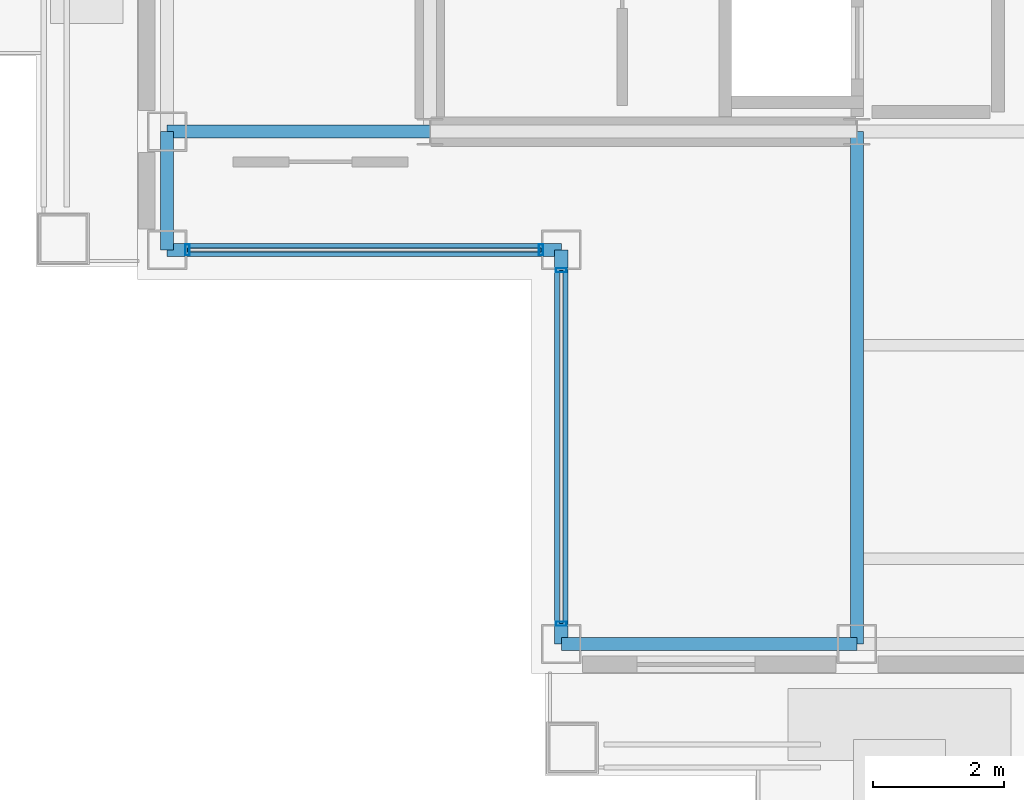
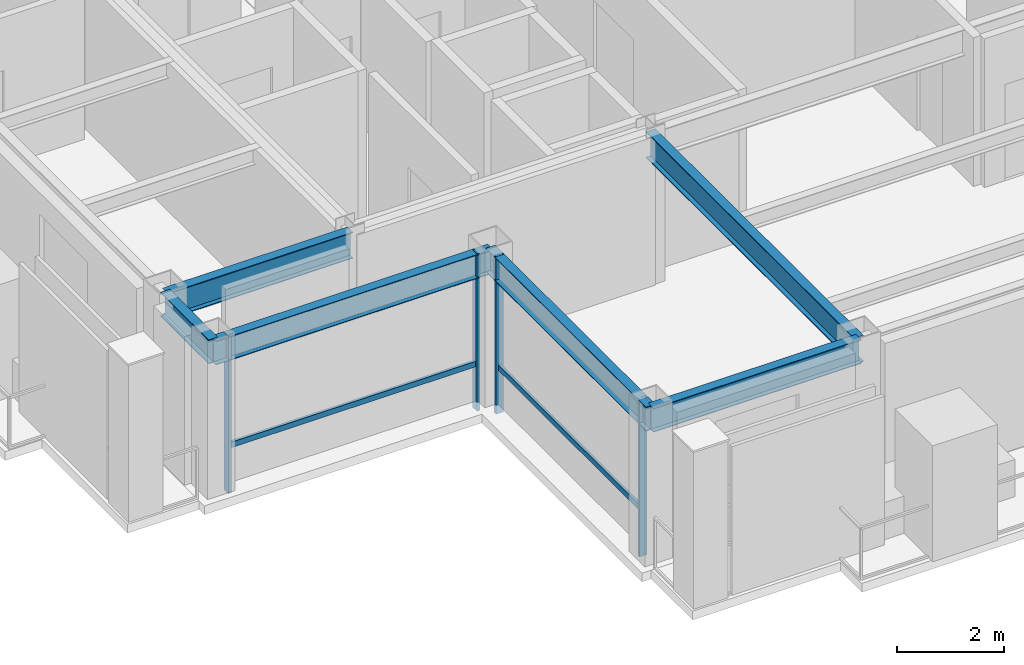
# One storey, part 3 of 27: 6 beams, 6 members, 2 elements without a shape of their own.
"""IFC4 building model written with IfcOpenShell, lengths in metres."""

from ifc_helpers import new_model, si_unit, direction, frame, origin, origin_2d, place, context, subcontext, project, spatial, hollow_rectangle, i_section, extrude, material, layer, layer_set, material_profile, profile_set, type_object, element, aggregate, save


model = new_model("IFC4")

# Units and contexts
model_context = context("Model", 3, precision=1e-05, world=origin(), true_north=direction((0.0, 1.0)))
body_context = subcontext(model_context, "Body", "Model", "MODEL_VIEW")
ifc_project = project(units=[si_unit("LENGTHUNIT", "METRE"), si_unit("AREAUNIT", "SQUARE_METRE"), si_unit("VOLUMEUNIT", "CUBIC_METRE"), si_unit("PLANEANGLEUNIT", "RADIAN"), si_unit("MASSUNIT", "GRAM", prefix="KILO")], contexts=[model_context])

# Site, building, storey
site_placement = place(None, origin())
site = spatial("IfcSite", under=ifc_project, at=site_placement, CompositionType="ELEMENT")
building_placement = place(site_placement, origin())
building = spatial("IfcBuilding", under=site, at=building_placement, Name="Brelmoor Portico Tower", CompositionType="ELEMENT")
storey_placement = place(building_placement, frame((0.0, 0.0, 250.800048828125)))
storey = spatial("IfcBuildingStorey", under=building, at=storey_placement, Name="L66", CompositionType="ELEMENT", Elevation=250.800048828125)

# Beams
ifc_material_1 = material(Name="Steel Q355B", Category="steel")
ifc_material_profile_1 = material_profile(ifc_material_1, i_section(OverallWidth=0.199951171875, OverallDepth=0.60009765625, WebThickness=0.010986328125, FlangeThickness=0.01708984375, at=origin_2d()), Name="HN 600x200x11x17")
ifc_profile_set_1 = profile_set([ifc_material_profile_1], Name="Steel Q355B")
beam_type_1 = type_object("IfcBeamType", Name="BM-PG-600", PredefinedType="BEAM", material=ifc_profile_set_1)
beam_1_placement = place(storey_placement, frame((-8.050048828125, -17.550048828125, 3.099853515625), z_axis=(0.0, 1.0, 0.0), x_axis=(-1.0, 0.0, 0.0)))
element("IfcBeam", 1, at=beam_1_placement, inside=storey, type_object=beam_type_1, Name="L66 Primary Floor Girder PG-03", PredefinedType="BEAM", context=body_context, shape_type="SweptSolid", body=[
    extrude(i_section(OverallWidth=0.199951171875, OverallDepth=0.60009765625, WebThickness=0.010986328125, FlangeThickness=0.01708984375, at=origin_2d()), origin(), (0.0, 0.0, 1.0), 7.800048828125),
])
beam_2_placement = place(storey_placement, frame((-18.550048828125, -9.75, 3.099853515625), z_axis=(1.0, 0.0, 0.0), x_axis=(0.0, 1.0, 0.0)))
element("IfcBeam", 2, at=beam_2_placement, inside=storey, type_object=beam_type_1, Name="L66 Primary Floor Girder PG-11", PredefinedType="BEAM", context=body_context, shape_type="SweptSolid", body=[
    extrude(i_section(OverallWidth=0.199951171875, OverallDepth=0.60009765625, WebThickness=0.010986328125, FlangeThickness=0.01708984375, at=origin_2d()), origin(), (0.0, 0.0, 1.0), 4.0),
])
ifc_material_profile_2 = material_profile(ifc_material_1, i_section(OverallWidth=0.199951171875, OverallDepth=0.550048828125, WebThickness=0.010009765625, FlangeThickness=0.01611328125, at=origin_2d()), Name="HN 550x200x10x16")
ifc_profile_set_2 = profile_set([ifc_material_profile_2], Name="Steel Q355B")
beam_type_2 = type_object("IfcBeamType", Name="BM-SP-550", PredefinedType="SPANDREL", material=ifc_profile_set_2)
beam_3_placement = place(storey_placement, frame((-12.550048828125, -17.550048828125, 3.125), z_axis=(1.0, 0.0, 0.0), x_axis=(0.0, 1.0, 0.0)))
element("IfcBeam", 3, at=beam_3_placement, inside=storey, type_object=beam_type_2, Name="L66 Perimeter Spandrel Beam SP-01", PredefinedType="SPANDREL", context=body_context, shape_type="SweptSolid", body=[
    extrude(i_section(OverallWidth=0.199951171875, OverallDepth=0.550048828125, WebThickness=0.010009765625, FlangeThickness=0.01611328125, at=origin_2d()), origin(), (0.0, 0.0, 1.0), 4.5),
])
beam_4_placement = place(storey_placement, frame((-18.550048828125, -11.550048828125, 3.125), z_axis=(1.0, 0.0, 0.0), x_axis=(0.0, 1.0, 0.0)))
element("IfcBeam", 4, at=beam_4_placement, inside=storey, type_object=beam_type_2, Name="L66 Perimeter Spandrel Beam SP-04", PredefinedType="SPANDREL", context=body_context, shape_type="SweptSolid", body=[
    extrude(i_section(OverallWidth=0.199951171875, OverallDepth=0.550048828125, WebThickness=0.010009765625, FlangeThickness=0.01611328125, at=origin_2d()), origin(), (0.0, 0.0, 1.0), 6.0),
])
beam_5_placement = place(storey_placement, frame((-18.550048828125, -11.550048828125, 3.125), z_axis=(0.0, 1.0, 0.0), x_axis=(-1.0, 0.0, 0.0)))
element("IfcBeam", 5, at=beam_5_placement, inside=storey, type_object=beam_type_2, Name="L66 Perimeter Spandrel Beam SP-11", PredefinedType="SPANDREL", context=body_context, shape_type="SweptSolid", body=[
    extrude(i_section(OverallWidth=0.199951171875, OverallDepth=0.550048828125, WebThickness=0.010009765625, FlangeThickness=0.01611328125, at=origin_2d()), origin(), (0.0, 0.0, 1.0), 1.800048828125),
])
beam_6_placement = place(storey_placement, frame((-12.550048828125, -17.550048828125, 3.125), z_axis=(0.0, 1.0, 0.0), x_axis=(-1.0, 0.0, 0.0)))
element("IfcBeam", 6, at=beam_6_placement, inside=storey, type_object=beam_type_2, Name="L66 Perimeter Spandrel Beam SP-14", PredefinedType="SPANDREL", context=body_context, shape_type="SweptSolid", body=[
    extrude(i_section(OverallWidth=0.199951171875, OverallDepth=0.550048828125, WebThickness=0.010009765625, FlangeThickness=0.01611328125, at=origin_2d()), origin(), (0.0, 0.0, 1.0), 6.0),
])

# Curtain wall, members
ifc_material_2 = material(Name="Anodised Aluminium Alloy 6063-T6", Category="aluminium")
ifc_layer = layer(ifc_material_2, 0.179931640625)
ifc_layer_set = layer_set([ifc_layer], Name="Anodised Aluminium Alloy 6063-T6")
curtain_wall_type = type_object("IfcCurtainWallType", Name="CW-NOTCH-CHAMFER", PredefinedType="NOTDEFINED", material=ifc_layer_set)
curtain_wall_1_placement = place(storey_placement, origin())
curtain_wall_1 = element("IfcCurtainWall", 7, at=curtain_wall_1_placement, inside=storey, type_object=curtain_wall_type, Name="L66 Curtain Wall CWN-L66-SWH", PredefinedType="NOTDEFINED")
ifc_material_profile_3 = material_profile(ifc_material_2, hollow_rectangle(XDim=0.06494140625, YDim=0.1650390625, WallThickness=0.00390625, at=origin_2d()), Name="ALU MULLION 65x165")
ifc_profile_set_3 = profile_set([ifc_material_profile_3], Name="Anodised Aluminium Alloy 6063-T6")
member_type_1 = type_object("IfcMemberType", Name="MB-CW-MULL-165", PredefinedType="MULLION", material=ifc_profile_set_3)
member_1_placement = place(storey_placement, frame((-18.239990234375, -11.550048828125, -0.199951171875), z_axis=(0.0, 0.0, 1.0), x_axis=(1.0, 0.0, 0.0)))
member_1 = element("IfcMember", 8, at=member_1_placement, type_object=member_type_1, Name="CWN-L66-SWH Mullion 00", PredefinedType="MULLION", context=body_context, shape_type="SweptSolid", body=[
    extrude(hollow_rectangle(XDim=0.06494140625, YDim=0.1650390625, WallThickness=0.00390625, at=origin_2d()), origin(), (0.0, 0.0, 1.0), 3.599853515625),
])
member_2_placement = place(storey_placement, frame((-12.860107421875, -11.550048828125, -0.199951171875), z_axis=(0.0, 0.0, 1.0), x_axis=(1.0, 0.0, 0.0)))
member_2 = element("IfcMember", 9, at=member_2_placement, type_object=member_type_1, Name="CWN-L66-SWH Mullion 01", PredefinedType="MULLION", context=body_context, shape_type="SweptSolid", body=[
    extrude(hollow_rectangle(XDim=0.06494140625, YDim=0.1650390625, WallThickness=0.00390625, at=origin_2d()), origin(), (0.0, 0.0, 1.0), 3.599853515625),
])

curtain_wall_2_placement = place(storey_placement, origin())
curtain_wall_2 = element("IfcCurtainWall", 10, at=curtain_wall_2_placement, inside=storey, type_object=curtain_wall_type, Name="L66 Curtain Wall CWN-L66-SWV", PredefinedType="NOTDEFINED")
member_3_placement = place(storey_placement, frame((-12.550048828125, -17.239990234375, -0.199951171875), z_axis=(0.0, 0.0, 1.0), x_axis=(0.0, 1.0, 0.0)))
member_3 = element("IfcMember", 11, at=member_3_placement, type_object=member_type_1, Name="CWN-L66-SWV Mullion 00", PredefinedType="MULLION", context=body_context, shape_type="SweptSolid", body=[
    extrude(hollow_rectangle(XDim=0.06494140625, YDim=0.1650390625, WallThickness=0.00390625, at=origin_2d()), origin(), (0.0, 0.0, 1.0), 3.599853515625),
])
member_4_placement = place(storey_placement, frame((-12.550048828125, -11.860107421875, -0.199951171875), z_axis=(0.0, 0.0, 1.0), x_axis=(0.0, 1.0, 0.0)))
member_4 = element("IfcMember", 12, at=member_4_placement, type_object=member_type_1, Name="CWN-L66-SWV Mullion 01", PredefinedType="MULLION", context=body_context, shape_type="SweptSolid", body=[
    extrude(hollow_rectangle(XDim=0.06494140625, YDim=0.1650390625, WallThickness=0.00390625, at=origin_2d()), origin(), (0.0, 0.0, 1.0), 3.599853515625),
])

# Member
ifc_material_profile_4 = material_profile(ifc_material_2, hollow_rectangle(XDim=0.06005859375, YDim=0.125, WallThickness=0.00341796875, at=origin_2d()), Name="ALU TRANSOM 60x125")
ifc_profile_set_4 = profile_set([ifc_material_profile_4], Name="Anodised Aluminium Alloy 6063-T6")
member_type_2 = type_object("IfcMemberType", Name="MB-CW-TRAN-125", PredefinedType="USERDEFINED", material=ifc_profile_set_4)
member_5_placement = place(storey_placement, frame((-18.239990234375, -11.550048828125, 0.849853515625), z_axis=(1.0, 0.0, 0.0), x_axis=(0.0, 1.0, 0.0)))
member_5 = element("IfcMember", 13, at=member_5_placement, type_object=member_type_2, Name="CWN-L66-SWH Transom 1-00", ObjectType="TRANSOM", PredefinedType="USERDEFINED", context=body_context, shape_type="SweptSolid", body=[
    extrude(hollow_rectangle(XDim=0.06005859375, YDim=0.125, WallThickness=0.00341796875, at=origin_2d()), origin(), (0.0, 0.0, 1.0), 5.3798828125),
])

aggregate(curtain_wall_1, [member_1, member_2, member_5])

member_6_placement = place(storey_placement, frame((-12.550048828125, -17.239990234375, 0.849853515625), z_axis=(0.0, 1.0, 0.0), x_axis=(-1.0, 0.0, 0.0)))
member_6 = element("IfcMember", 14, at=member_6_placement, type_object=member_type_2, Name="CWN-L66-SWV Transom 1-00", ObjectType="TRANSOM", PredefinedType="USERDEFINED", context=body_context, shape_type="SweptSolid", body=[
    extrude(hollow_rectangle(XDim=0.06005859375, YDim=0.125, WallThickness=0.00341796875, at=origin_2d()), origin(), (0.0, 0.0, 1.0), 5.3798828125),
])

aggregate(curtain_wall_2, [member_3, member_4, member_6])

save(model, "model.ifc")
